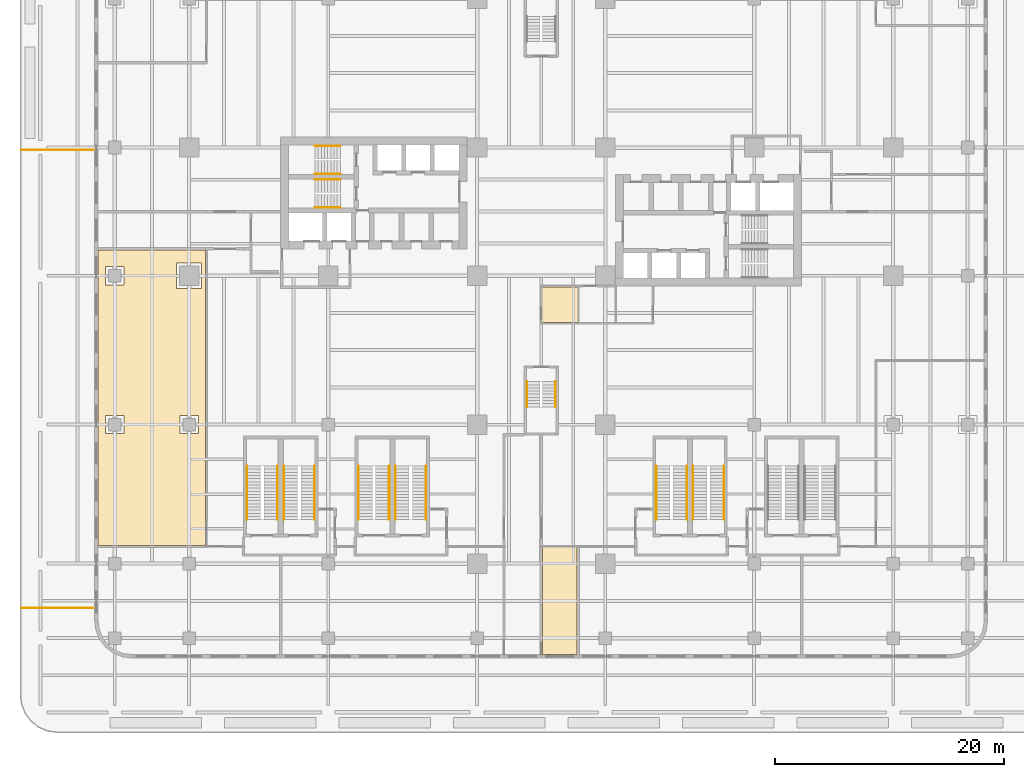
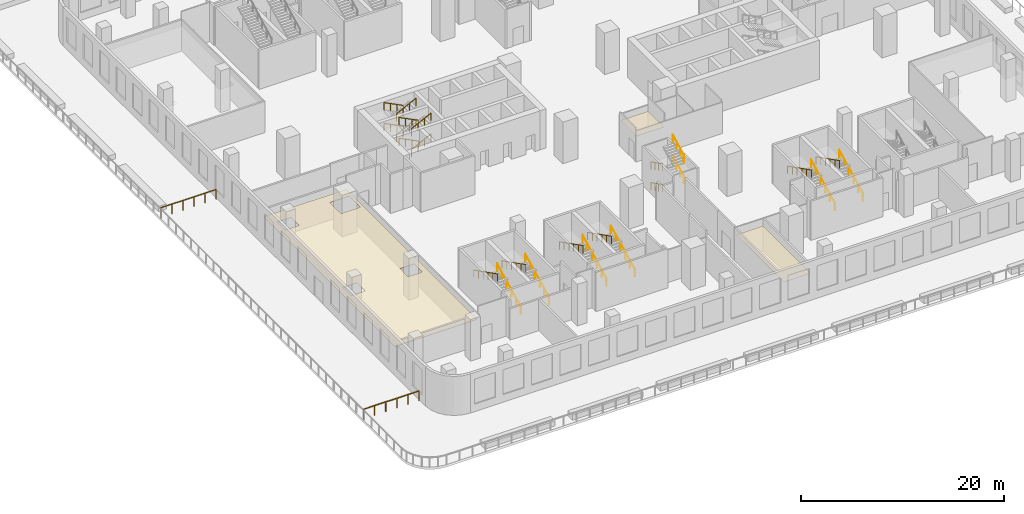
# One storey, part 17 of 18: 26 railings, 3 coverings.
"""IFC4 building model written with IfcOpenShell, lengths in metres."""

import ifcopenshell
import ifcopenshell.guid

model = None  # the IFC model being written
_history = None  # IfcOwnerHistory: only IFC2X3 demands one
_inside = {}  # id of a spatial element -> (the spatial element, [elements in it])
_under = {}  # id of a project, library or spatial element -> (it, [spatial elements below it])
_declared = {}  # id of a project -> (the project, [libraries it declares])
_typed = {}  # id of a type object -> (the type object, [elements of that type])
_made_of = {}  # id of a material, layer set ... -> (it, [elements and type objects made of it])


def new_model(schema):
    """Start an empty IFC model of exactly this schema.

    Asked for "IFC4X3", IfcOpenShell would pick the latest addendum, in which some entities
    have other attributes; the version numbers below select the first issue.
    IFC2X3 requires an IfcOwnerHistory on every rooted entity: one is made here for all.
    """
    global model, _history
    if schema == "IFC4X3":
        model = ifcopenshell.file(schema_version=(4, 3, 0, 0))
    else:
        model = ifcopenshell.file(schema=schema)
    _inside.clear()
    _under.clear()
    _declared.clear()
    _typed.clear()
    _made_of.clear()
    _history = None
    if model.schema == "IFC2X3":
        org = make("IfcOrganization", Name="unknown")
        user = make(
            "IfcPersonAndOrganization",
            ThePerson=make("IfcPerson", FamilyName="unknown"),
            TheOrganization=org,
        )
        app = make(
            "IfcApplication",
            ApplicationDeveloper=org,
            Version="unknown",
            ApplicationFullName="unknown",
            ApplicationIdentifier="unknown",
        )
        _history = make(
            "IfcOwnerHistory",
            OwningUser=user,
            OwningApplication=app,
            ChangeAction="ADDED",
            CreationDate=0,
        )
    return model


def make(cls, **values):
    """One entity of the class cls with the attributes given. An attribute that is None is left unset."""
    return model.create_entity(
        cls, **{name: value for name, value in values.items() if value is not None}
    )


def rooted(cls, **values):
    """An entity with a GlobalId (a new one), such as an element, a storey or a relation."""
    return make(cls, GlobalId=ifcopenshell.guid.new(), OwnerHistory=_history, **values)


def si_unit(unit_type, name, prefix=None):
    """IfcSIUnit, for example si_unit("LENGTHUNIT", "METRE", prefix="MILLI")."""
    return make("IfcSIUnit", UnitType=unit_type, Prefix=prefix, Name=name)


def assignment(units):
    """IfcUnitAssignment: the units of a project."""
    return None if units is None else make("IfcUnitAssignment", Units=units)


def point(xyz):
    """IfcCartesianPoint."""
    return None if xyz is None else make("IfcCartesianPoint", Coordinates=xyz)


def direction(xyz):
    """IfcDirection."""
    return None if xyz is None else make("IfcDirection", DirectionRatios=xyz)


def frame(location, z_axis=None, x_axis=None):
    """IfcAxis2Placement3D, a coordinate frame: its origin and axes. An axis left out is left unset."""
    return make(
        "IfcAxis2Placement3D",
        Location=point(location),
        Axis=direction(z_axis),
        RefDirection=direction(x_axis),
    )


def frame_2d(location, x_axis=None):
    """IfcAxis2Placement2D, a coordinate frame in the plane: its origin and x axis."""
    return make(
        "IfcAxis2Placement2D", Location=point(location), RefDirection=direction(x_axis)
    )


def origin():
    """The frame at (0, 0, 0) with its axes left unset."""
    return frame((0.0, 0.0, 0.0))


def origin_2d():
    """The frame at (0, 0) in the plane with its x axis left unset."""
    return frame_2d((0.0, 0.0))


def place(relative_to, where):
    """IfcLocalPlacement: puts the frame where relative to a parent placement (None: the world)."""
    return make(
        "IfcLocalPlacement", PlacementRelTo=relative_to, RelativePlacement=where
    )


def context(
    kind, dimensions, precision=None, world=None, true_north=None, identifier=None
):
    """IfcGeometricRepresentationContext, for example the 3D "Model" context."""
    return make(
        "IfcGeometricRepresentationContext",
        ContextIdentifier=identifier,
        ContextType=kind,
        CoordinateSpaceDimension=dimensions,
        Precision=precision,
        WorldCoordinateSystem=world,
        TrueNorth=true_north,
    )


def subcontext(parent, identifier, kind, view, scale=None):
    """IfcGeometricRepresentationSubContext, for example "Body" below "Model"."""
    return make(
        "IfcGeometricRepresentationSubContext",
        ContextIdentifier=identifier,
        ContextType=kind,
        ParentContext=parent,
        TargetScale=scale,
        TargetView=view,
    )


def project(units=None, contexts=None):
    """IfcProject with its units and contexts."""
    return rooted(
        "IfcProject",
        Name="project",
        RepresentationContexts=contexts,
        UnitsInContext=assignment(units),
    )


def spatial(cls, under=None, at=None, **own):
    """A site, building, storey or space (cls), placed at a placement, below another one or the project."""
    s = rooted(cls, ObjectPlacement=at, **own)
    if under is not None:
        _under.setdefault(under.id(), (under, []))[1].append(s)
    return s


def polyline(points):
    """IfcPolyline through the points."""
    return make("IfcPolyline", Points=[point(p) for p in points])


def profile(cls, at=None, kind="AREA", **sizes):
    """A parametric profile (cls). Its sizes go by their IFC names, for example OverallWidth=200.0."""
    return make(cls, ProfileType=kind, Position=at, **sizes)


def rectangle(**sizes):
    """IfcRectangleProfileDef."""
    return profile("IfcRectangleProfileDef", **sizes)


def circle(**sizes):
    """IfcCircleProfileDef."""
    return profile("IfcCircleProfileDef", **sizes)


def outline(outer, holes=None, kind="AREA"):
    """IfcArbitraryClosedProfileDef: a profile drawn as a closed curve; with holes, ...WithVoids."""
    if holes is None:
        return make("IfcArbitraryClosedProfileDef", ProfileType=kind, OuterCurve=outer)
    return make(
        "IfcArbitraryProfileDefWithVoids",
        ProfileType=kind,
        OuterCurve=outer,
        InnerCurves=holes,
    )


def extrude(swept, where, along, depth):
    """IfcExtrudedAreaSolid: the profile swept, set in the frame where, extruded along a direction by depth."""
    return make(
        "IfcExtrudedAreaSolid",
        SweptArea=swept,
        Position=where,
        ExtrudedDirection=direction(along),
        Depth=depth,
    )


def shape(context_of_items, identifier, shape_type, items):
    """IfcShapeRepresentation: the items that make up one representation, for example the "Body"."""
    return make(
        "IfcShapeRepresentation",
        ContextOfItems=context_of_items,
        RepresentationIdentifier=identifier,
        RepresentationType=shape_type,
        Items=items,
    )


def source(mapping_origin, context_of_items, identifier, shape_type, items):
    """IfcRepresentationMap: a shape defined once, which mapped items show again and again."""
    return make(
        "IfcRepresentationMap",
        MappingOrigin=mapping_origin,
        MappedRepresentation=shape(context_of_items, identifier, shape_type, items),
    )


def transform(
    local_origin,
    x_axis=None,
    y_axis=None,
    z_axis=None,
    scale=None,
    scale2=None,
    scale3=None,
    uniform=True,
):
    """IfcCartesianTransformationOperator3D, or its non-uniform kind. x_axis, y_axis, z_axis: its Axis1, 2, 3."""
    if uniform:
        return make(
            "IfcCartesianTransformationOperator3D",
            Axis1=direction(x_axis),
            Axis2=direction(y_axis),
            LocalOrigin=point(local_origin),
            Scale=scale,
            Axis3=direction(z_axis),
        )
    return make(
        "IfcCartesianTransformationOperator3DnonUniform",
        Axis1=direction(x_axis),
        Axis2=direction(y_axis),
        LocalOrigin=point(local_origin),
        Scale=scale,
        Axis3=direction(z_axis),
        Scale2=scale2,
        Scale3=scale3,
    )


def mapped(mapping_source, mapping_target):
    """IfcMappedItem: shows the shape of a source again, moved by a transform."""
    return make(
        "IfcMappedItem", MappingSource=mapping_source, MappingTarget=mapping_target
    )


def material(Name=None, Category=None):
    """IfcMaterial."""
    return make("IfcMaterial", Name=Name, Category=Category)


def layer(
    of_material, thickness, ventilated=None, Name=None, Category=None, Priority=None
):
    """IfcMaterialLayer: one layer of a wall or slab, of a material (None: an air gap)."""
    return make(
        "IfcMaterialLayer",
        Material=of_material,
        LayerThickness=thickness,
        IsVentilated=ventilated,
        Name=Name,
        Category=Category,
        Priority=Priority,
    )


def layer_set(layers, Name=None):
    """IfcMaterialLayerSet."""
    return make("IfcMaterialLayerSet", MaterialLayers=layers, LayerSetName=Name)


def made_of(thing, what):
    """Note that an element or type object is made of a material, layer set ...; save() writes the relation."""
    if what is not None:
        _made_of.setdefault(what.id(), (what, []))[1].append(thing)
    return thing


def type_object(cls, material=None, **own):
    """A type object (cls), such as IfcWallType, which elements share."""
    return made_of(rooted(cls, **own), material)


def element(
    cls,
    number,
    at=None,
    inside=None,
    cuts=None,
    type_object=None,
    material=None,
    context=None,
    identifier="Body",
    shape_type=None,
    held_by="IfcProductDefinitionShape",
    body=None,
    shapes=None,
    **own,
):
    """One element of the class cls, such as IfcWall. Its Tag is "e" and its number.

    at: its placement. inside: the storey or other place that contains it. cuts: it is an
    opening in that element (IfcRelVoidsElement). A single representation is given by context,
    identifier, shape_type and body (its items); several are given by shapes. held_by: the class
    of the entity that holds the representations. save() writes the other relations.
    """
    e = rooted(cls, Tag="e%d" % number, ObjectPlacement=at, **own)
    if body is not None:
        shapes = [shape(context, identifier, shape_type, body)]
    if shapes is not None:
        e.Representation = make(held_by, Representations=shapes)
    if inside is not None:
        _inside.setdefault(inside.id(), (inside, []))[1].append(e)
    if cuts is not None:
        rooted(
            "IfcRelVoidsElement", RelatingBuildingElement=cuts, RelatedOpeningElement=e
        )
    if type_object is not None:
        _typed.setdefault(type_object.id(), (type_object, []))[1].append(e)
    return made_of(e, material)


def aggregate(whole, parts):
    """IfcRelAggregates: a whole, such as a stair, and the parts it consists of."""
    return rooted("IfcRelAggregates", RelatingObject=whole, RelatedObjects=parts)


def save(model, path):
    """Write the relations noted so far, then the file.

    IfcRelAggregates (storeys below a building ...), IfcRelContainedInSpatialStructure (elements
    in a storey), IfcRelDefinesByType, IfcRelAssociatesMaterial and IfcRelDeclares: one each for
    every whole, place, type object, material and project.
    """
    for whole, parts in _under.values():
        aggregate(whole, parts)
    for where, things in _inside.values():
        rooted(
            "IfcRelContainedInSpatialStructure",
            RelatedElements=things,
            RelatingStructure=where,
        )
    for kind, things in _typed.values():
        rooted("IfcRelDefinesByType", RelatedObjects=things, RelatingType=kind)
    for what, things in _made_of.values():
        rooted("IfcRelAssociatesMaterial", RelatedObjects=things, RelatingMaterial=what)
    for by, libraries in _declared.values():
        rooted("IfcRelDeclares", RelatingContext=by, RelatedDefinitions=libraries)
    model.write(path)


model = new_model("IFC4")

# Units and contexts
model_context = context("Model", 3, precision=1e-05, world=origin(), true_north=direction((0.0, 1.0)))
body_context = subcontext(model_context, "Body", "Model", "MODEL_VIEW")
ifc_project = project(units=[si_unit("LENGTHUNIT", "METRE"), si_unit("AREAUNIT", "SQUARE_METRE"), si_unit("VOLUMEUNIT", "CUBIC_METRE"), si_unit("PLANEANGLEUNIT", "RADIAN"), si_unit("MASSUNIT", "GRAM", prefix="KILO")], contexts=[model_context])

# Site, building, storey
site_placement = place(None, origin())
site = spatial("IfcSite", under=ifc_project, at=site_placement, CompositionType="ELEMENT")
building_placement = place(site_placement, origin())
building = spatial("IfcBuilding", under=site, at=building_placement, Name="Trellis Farm Tower", CompositionType="ELEMENT")
storey_placement = place(building_placement, frame((0.0, 0.0, 14.0)))
storey = spatial("IfcBuildingStorey", under=building, at=storey_placement, Name="L02", CompositionType="ELEMENT", Elevation=14.0)

# Coverings
ifc_material_1 = material(Name="Moisture resistant plasterboard on metal framing")
ifc_layer_1 = layer(ifc_material_1, 0.02490234375)
ifc_layer_set_1 = layer_set([ifc_layer_1], Name="PLASTERBOARD CEILING 25")
covering_type_1 = type_object("IfcCoveringType", Name="PLASTERBOARD CEILING 25", PredefinedType="CEILING", material=ifc_layer_set_1)
placement = place(storey_placement, frame((0.0, 0.0, 3.0)))
element("IfcCovering", 1, at=placement, inside=storey, type_object=covering_type_1, Name="CL2 suspended ceiling", PredefinedType="CEILING", context=body_context, shape_type="SweptSolid", body=[
    extrude(outline(polyline([(3.199951171875, -9.699951171875), (0.0625, -9.699951171875), (0.0625, -6.5625), (3.199951171875, -6.5625), (3.199951171875, -9.699951171875)])), origin(), (0.0, 0.0, 1.0), 0.02490234375),
])
element("IfcCovering", 2, at=placement, inside=storey, type_object=covering_type_1, Name="CL2 suspended ceiling", PredefinedType="CEILING", context=body_context, shape_type="SweptSolid", body=[
    extrude(outline(polyline([(0.10009765625, -29.3125), (3.14990234375, -29.3125), (3.14990234375, -38.699951171875), (0.10009765625, -38.699951171875), (0.10009765625, -29.3125)])), origin(), (0.0, 0.0, 1.0), 0.02490234375),
])
ifc_material_2 = material(Name="Oak veneered slat panel on acoustic backing")
ifc_layer_2 = layer(ifc_material_2, 0.06005859375)
ifc_layer_set_2 = layer_set([ifc_layer_2], Name="TIMBER ACOUSTIC SLAT CEILING 60")
covering_type_2 = type_object("IfcCoveringType", Name="TIMBER ACOUSTIC SLAT CEILING 60", PredefinedType="CEILING", material=ifc_layer_set_2)
element("IfcCovering", 3, at=placement, inside=storey, type_object=covering_type_2, Name="CL3 suspended ceiling", PredefinedType="CEILING", context=body_context, shape_type="SweptSolid", body=[
    extrude(outline(polyline([(-29.3125, -3.35009765625), (-29.3125, -29.14990234375), (-38.699951171875, -29.14990234375), (-38.699951171875, -3.35009765625), (-29.3125, -3.35009765625)]), holes=[polyline([(-31.550048828125, -19.39990234375), (-29.949951171875, -19.39990234375), (-29.949951171875, -17.800048828125), (-31.550048828125, -17.800048828125), (-31.550048828125, -19.39990234375)]), polyline([(-38.050048828125, -19.39990234375), (-36.449951171875, -19.39990234375), (-36.449951171875, -17.800048828125), (-38.050048828125, -17.800048828125), (-38.050048828125, -19.39990234375)]), polyline([(-38.050048828125, -6.39990234375), (-36.449951171875, -6.39990234375), (-36.449951171875, -4.800048828125), (-38.050048828125, -4.800048828125), (-38.050048828125, -6.39990234375)]), polyline([(-31.85009765625, -6.699951171875), (-29.64990234375, -6.699951171875), (-29.64990234375, -4.5), (-31.85009765625, -4.5), (-31.85009765625, -6.699951171875)])]), origin(), (0.0, 0.0, 1.0), 0.06005859375),
])

# Railings
ifc_material_3 = material(Name="Stainless steel", Category="steel")
railing_type_1 = type_object("IfcRailingType", Name="STAIR HANDRAIL 900", PredefinedType="HANDRAIL", material=ifc_material_3)
shared_shape_1 = source(origin(), body_context, "Body", "SweptSolid", [
    extrude(circle(Radius=0.02392578125, at=origin_2d()), frame((0.0, 0.0, 0.8759765625), z_axis=(0.0, 0.892617056473, 0.450815694596), x_axis=(-1.0, 0.0, 0.0)), (0.0, 0.0, 1.0), 2.464599609375),
    extrude(circle(Radius=0.02099609375, at=origin_2d()), origin(), (0.0, 0.0, 1.0), 0.851806640625),
    extrude(circle(Radius=0.02099609375, at=origin_2d()), frame((0.0, 0.7333984375, 0.370361328125)), (0.0, 0.0, 1.0), 0.851806640625),
    extrude(circle(Radius=0.02099609375, at=origin_2d()), frame((0.0, 1.466552734375, 0.74072265625)), (0.0, 0.0, 1.0), 0.851806640625),
    extrude(circle(Radius=0.02099609375, at=origin_2d()), frame((0.0, 2.199951171875, 1.111083984375)), (0.0, 0.0, 1.0), 0.851806640625),
])
for number, where, name in (
    (4, (1.25, -17.050048828125, 1.388916015625), "Stair handrail"),
    (5, (1.25, -17.050048828125, 3.888916015625), "Stair handrail"),
):
    element("IfcRailing", number, at=place(storey_placement, frame(where)), inside=storey, type_object=railing_type_1, Name=name, PredefinedType="HANDRAIL", context=body_context, shape_type="MappedRepresentation", body=[
        mapped(shared_shape_1, transform((0.0, 0.0, 0.0))),
    ])
shared_shape_2 = source(origin(), body_context, "Body", "SweptSolid", [
    extrude(circle(Radius=0.02392578125, at=origin_2d()), frame((0.0, 0.0, 0.8759765625), z_axis=(0.0, -0.892617056473, 0.450815694596), x_axis=(1.0, 0.0, 0.0)), (0.0, 0.0, 1.0), 2.464599609375),
    extrude(circle(Radius=0.02099609375, at=origin_2d()), origin(), (0.0, 0.0, 1.0), 0.851806640625),
    extrude(circle(Radius=0.02099609375, at=origin_2d()), frame((0.0, -0.7333984375, 0.370361328125)), (0.0, 0.0, 1.0), 0.851806640625),
    extrude(circle(Radius=0.02099609375, at=origin_2d()), frame((0.0, -1.466552734375, 0.74072265625)), (0.0, 0.0, 1.0), 0.851806640625),
    extrude(circle(Radius=0.02099609375, at=origin_2d()), frame((0.0, -2.199951171875, 1.111083984375)), (0.0, 0.0, 1.0), 0.851806640625),
])
for number, where, name in (
    (6, (-1.25, -14.85009765625, 0.138916015625), "Stair handrail"),
    (7, (-1.25, -14.85009765625, 2.638916015625), "Stair handrail"),
):
    element("IfcRailing", number, at=place(storey_placement, frame(where)), inside=storey, type_object=railing_type_1, Name=name, PredefinedType="HANDRAIL", context=body_context, shape_type="MappedRepresentation", body=[
        mapped(shared_shape_2, transform((0.0, 0.0, 0.0))),
    ])
shared_shape_3 = source(origin(), body_context, "Body", "SweptSolid", [
    extrude(circle(Radius=0.02392578125, at=origin_2d()), frame((0.0, 0.0, 0.8759765625), z_axis=(0.892617056473, 0.0, 0.450815694596), x_axis=(0.0, 1.0, 0.0)), (0.0, 0.0, 1.0), 2.464599609375),
    extrude(circle(Radius=0.02099609375, at=origin_2d()), origin(), (0.0, 0.0, 1.0), 0.851806640625),
    extrude(circle(Radius=0.02099609375, at=origin_2d()), frame((0.7333984375, 0.0, 0.370361328125)), (0.0, 0.0, 1.0), 0.851806640625),
    extrude(circle(Radius=0.02099609375, at=origin_2d()), frame((1.466552734375, 0.0, 0.74072265625)), (0.0, 0.0, 1.0), 0.851806640625),
    extrude(circle(Radius=0.02099609375, at=origin_2d()), frame((2.199951171875, 0.0, 1.111083984375)), (0.0, 0.0, 1.0), 0.851806640625),
])
for number, where, name in (
    (8, (-19.75, 3.300048828125, 1.388916015625), "Stair handrail"),
    (9, (-19.75, 3.300048828125, 3.888916015625), "Stair handrail"),
    (10, (-19.75, 0.35009765625, 1.388916015625), "Stair handrail"),
    (11, (-19.75, 0.35009765625, 3.888916015625), "Stair handrail"),
):
    element("IfcRailing", number, at=place(storey_placement, frame(where)), inside=storey, type_object=railing_type_1, Name=name, PredefinedType="HANDRAIL", context=body_context, shape_type="MappedRepresentation", body=[
        mapped(shared_shape_3, transform((0.0, 0.0, 0.0))),
    ])
shared_shape_4 = source(origin(), body_context, "Body", "SweptSolid", [
    extrude(circle(Radius=0.02392578125, at=origin_2d()), frame((0.0, 0.0, 0.8759765625), z_axis=(-0.892617056473, 0.0, 0.450815694596), x_axis=(0.0, -1.0, 0.0)), (0.0, 0.0, 1.0), 2.464599609375),
    extrude(circle(Radius=0.02099609375, at=origin_2d()), origin(), (0.0, 0.0, 1.0), 0.851806640625),
    extrude(circle(Radius=0.02099609375, at=origin_2d()), frame((-0.7333984375, 0.0, 0.370361328125)), (0.0, 0.0, 1.0), 0.851806640625),
    extrude(circle(Radius=0.02099609375, at=origin_2d()), frame((-1.466552734375, 0.0, 0.74072265625)), (0.0, 0.0, 1.0), 0.851806640625),
    extrude(circle(Radius=0.02099609375, at=origin_2d()), frame((-2.199951171875, 0.0, 1.111083984375)), (0.0, 0.0, 1.0), 0.851806640625),
])
for number, where, name in (
    (12, (-17.550048828125, 5.75, 0.138916015625), "Stair handrail"),
    (13, (-17.550048828125, 5.75, 2.638916015625), "Stair handrail"),
    (14, (-17.550048828125, 2.800048828125, 0.138916015625), "Stair handrail"),
    (15, (-17.550048828125, 2.800048828125, 2.638916015625), "Stair handrail"),
):
    element("IfcRailing", number, at=place(storey_placement, frame(where)), inside=storey, type_object=railing_type_1, Name=name, PredefinedType="HANDRAIL", context=body_context, shape_type="MappedRepresentation", body=[
        mapped(shared_shape_4, transform((0.0, 0.0, 0.0))),
    ])
shared_shape_5 = source(origin(), body_context, "Body", "SweptSolid", [
    extrude(circle(Radius=0.02392578125, at=origin_2d()), frame((0.0, 0.0, 0.8759765625), z_axis=(0.0, -0.892611158778, 0.450827371868), x_axis=(1.0, 0.0, 0.0)), (0.0, 0.0, 1.0), 5.2373046875),
    extrude(circle(Radius=0.02099609375, at=origin_2d()), origin(), (0.0, 0.0, 1.0), 0.851806640625),
    extrude(circle(Radius=0.02099609375, at=origin_2d()), frame((0.0, -0.93505859375, 0.47216796875)), (0.0, 0.0, 1.0), 0.851806640625),
    extrude(circle(Radius=0.02099609375, at=origin_2d()), frame((0.0, -1.869873046875, 0.9443359375)), (0.0, 0.0, 1.0), 0.851806640625),
    extrude(circle(Radius=0.02099609375, at=origin_2d()), frame((0.0, -2.804931640625, 1.416748046875)), (0.0, 0.0, 1.0), 0.851806640625),
    extrude(circle(Radius=0.02099609375, at=origin_2d()), frame((0.0, -3.73974609375, 1.888916015625)), (0.0, 0.0, 1.0), 0.851806640625),
    extrude(circle(Radius=0.02099609375, at=origin_2d()), frame((0.0, -4.6748046875, 2.361083984375)), (0.0, 0.0, 1.0), 0.851806640625),
])
for number, where, name in (
    (16, (-25.699951171875, -22.22509765625, 2.638916015625), "Stair handrail"),
    (17, (-22.47998046875, -22.22509765625, 2.638916015625), "Stair handrail"),
    (18, (-15.949951171875, -22.22509765625, 2.638916015625), "Stair handrail"),
    (19, (-12.72998046875, -22.22509765625, 2.638916015625), "Stair handrail"),
    (20, (10.050048828125, -22.22509765625, 2.638916015625), "Stair handrail"),
    (21, (13.27001953125, -22.22509765625, 2.638916015625), "Stair handrail"),
):
    element("IfcRailing", number, at=place(storey_placement, frame(where)), inside=storey, type_object=railing_type_1, Name=name, PredefinedType="HANDRAIL", context=body_context, shape_type="MappedRepresentation", body=[
        mapped(shared_shape_5, transform((0.0, 0.0, 0.0))),
    ])
shared_shape_6 = source(origin(), body_context, "Body", "SweptSolid", [
    extrude(circle(Radius=0.02392578125, at=origin_2d()), frame((0.0, 0.0, 0.8759765625), z_axis=(0.0, 0.892611158778, 0.450827371868), x_axis=(-1.0, 0.0, 0.0)), (0.0, 0.0, 1.0), 5.2373046875),
    extrude(circle(Radius=0.02099609375, at=origin_2d()), origin(), (0.0, 0.0, 1.0), 0.851806640625),
    extrude(circle(Radius=0.02099609375, at=origin_2d()), frame((0.0, 0.93505859375, 0.47216796875)), (0.0, 0.0, 1.0), 0.851806640625),
    extrude(circle(Radius=0.02099609375, at=origin_2d()), frame((0.0, 1.869873046875, 0.9443359375)), (0.0, 0.0, 1.0), 0.851806640625),
    extrude(circle(Radius=0.02099609375, at=origin_2d()), frame((0.0, 2.804931640625, 1.416748046875)), (0.0, 0.0, 1.0), 0.851806640625),
    extrude(circle(Radius=0.02099609375, at=origin_2d()), frame((0.0, 3.73974609375, 1.888916015625)), (0.0, 0.0, 1.0), 0.851806640625),
    extrude(circle(Radius=0.02099609375, at=origin_2d()), frame((0.0, 4.6748046875, 2.361083984375)), (0.0, 0.0, 1.0), 0.851806640625),
])
for number, where, name in (
    (22, (-23.02001953125, -26.89990234375, 0.138916015625), "Stair handrail"),
    (23, (-19.800048828125, -26.89990234375, 0.138916015625), "Stair handrail"),
    (24, (-13.27001953125, -26.89990234375, 0.138916015625), "Stair handrail"),
    (25, (-10.050048828125, -26.89990234375, 0.138916015625), "Stair handrail"),
    (26, (12.72998046875, -26.89990234375, 0.138916015625), "Stair handrail"),
    (27, (15.949951171875, -26.89990234375, 0.138916015625), "Stair handrail"),
):
    element("IfcRailing", number, at=place(storey_placement, frame(where)), inside=storey, type_object=railing_type_1, Name=name, PredefinedType="HANDRAIL", context=body_context, shape_type="MappedRepresentation", body=[
        mapped(shared_shape_6, transform((0.0, 0.0, 0.0))),
    ])
ifc_material_4 = material(Name="Stainless steel 316", Category="steel")
railing_type_2 = type_object("IfcRailingType", Name="BALUSTRADE GUARD 1200", PredefinedType="GUARDRAIL", material=ifc_material_4)
shared_shape_7 = source(origin(), body_context, "Body", "SweptSolid", [
    extrude(rectangle(XDim=0.050048828125, YDim=0.050048828125, at=origin_2d()), frame((0.0, 0.0, 1.1748046875), z_axis=(-1.0, 0.0, 0.0), x_axis=(0.0, -1.0, 0.0)), (0.0, 0.0, 1.0), 6.2998046875),
    extrude(rectangle(XDim=0.0400390625, YDim=0.0400390625, at=origin_2d()), origin(), (0.0, 0.0, 1.0), 1.14990234375),
    extrude(rectangle(XDim=0.0400390625, YDim=0.0400390625, at=origin_2d()), frame((-1.260009765625, 0.0, 0.0)), (0.0, 0.0, 1.0), 1.14990234375),
    extrude(rectangle(XDim=0.0400390625, YDim=0.0400390625, at=origin_2d()), frame((-2.52001953125, 0.0, 0.0)), (0.0, 0.0, 1.0), 1.14990234375),
    extrude(rectangle(XDim=0.0400390625, YDim=0.0400390625, at=origin_2d()), frame((-3.77978515625, 0.0, 0.0)), (0.0, 0.0, 1.0), 1.14990234375),
    extrude(rectangle(XDim=0.0400390625, YDim=0.0400390625, at=origin_2d()), frame((-5.039794921875, 0.0, 0.0)), (0.0, 0.0, 1.0), 1.14990234375),
    extrude(rectangle(XDim=0.0400390625, YDim=0.0400390625, at=origin_2d()), frame((-6.2998046875, 0.0, 0.0)), (0.0, 0.0, 1.0), 1.14990234375),
])
railing_1_placement = place(storey_placement, frame((-39.10009765625, -34.625, 0.0)))
element("IfcRailing", 28, at=railing_1_placement, inside=storey, type_object=railing_type_2, Name="GD2 ZN-3", PredefinedType="GUARDRAIL", context=body_context, shape_type="MappedRepresentation", body=[
    mapped(shared_shape_7, transform((0.0, 0.0, 0.0))),
])
shared_shape_8 = source(origin(), body_context, "Body", "SweptSolid", [
    extrude(rectangle(XDim=0.050048828125, YDim=0.050048828125, at=origin_2d()), frame((0.0, 0.0, 1.1748046875), z_axis=(1.0, 0.0, 0.0), x_axis=(0.0, 1.0, 0.0)), (0.0, 0.0, 1.0), 6.2998046875),
    extrude(rectangle(XDim=0.0400390625, YDim=0.0400390625, at=origin_2d()), origin(), (0.0, 0.0, 1.0), 1.14990234375),
    extrude(rectangle(XDim=0.0400390625, YDim=0.0400390625, at=origin_2d()), frame((1.260009765625, 0.0, 0.0)), (0.0, 0.0, 1.0), 1.14990234375),
    extrude(rectangle(XDim=0.0400390625, YDim=0.0400390625, at=origin_2d()), frame((2.52001953125, 0.0, 0.0)), (0.0, 0.0, 1.0), 1.14990234375),
    extrude(rectangle(XDim=0.0400390625, YDim=0.0400390625, at=origin_2d()), frame((3.77978515625, 0.0, 0.0)), (0.0, 0.0, 1.0), 1.14990234375),
    extrude(rectangle(XDim=0.0400390625, YDim=0.0400390625, at=origin_2d()), frame((5.039794921875, 0.0, 0.0)), (0.0, 0.0, 1.0), 1.14990234375),
    extrude(rectangle(XDim=0.0400390625, YDim=0.0400390625, at=origin_2d()), frame((6.2998046875, 0.0, 0.0)), (0.0, 0.0, 1.0), 1.14990234375),
])
railing_2_placement = place(storey_placement, frame((-45.39990234375, 5.375, 0.0)))
element("IfcRailing", 29, at=railing_2_placement, inside=storey, type_object=railing_type_2, Name="GD2 ZN-4", PredefinedType="GUARDRAIL", context=body_context, shape_type="MappedRepresentation", body=[
    mapped(shared_shape_8, transform((0.0, 0.0, 0.0))),
])

save(model, "model.ifc")
